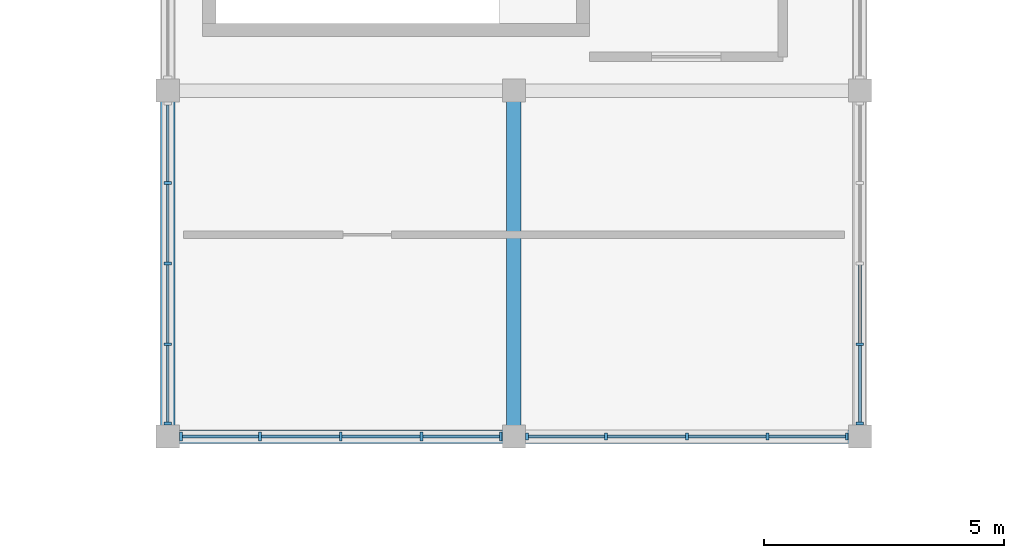
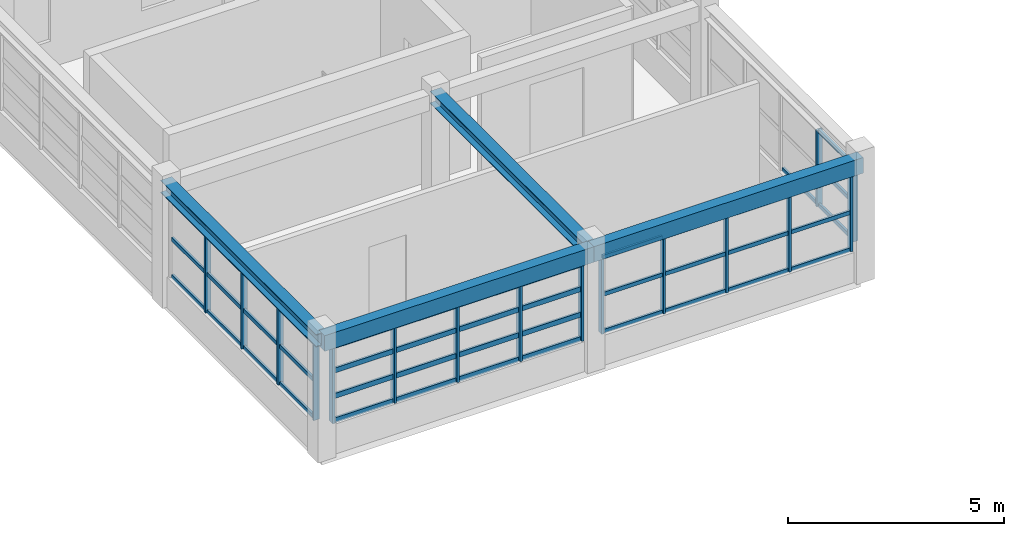
# One storey, part 9 of 53: 60 members, 4 beams, 4 elements without a shape of their own.
"""IFC4 building model written with IfcOpenShell, lengths in metres."""

from ifc_helpers import new_model, si_unit, direction, frame, origin, origin_2d, place, context, subcontext, project, spatial, rectangle, i_section, extrude, material, material_profile, profile_set, type_object, element, aggregate, save


model = new_model("IFC4")

# Units and contexts
model_context = context("Model", 3, precision=1e-05, world=origin(), true_north=direction((0.0, 1.0)))
body_context = subcontext(model_context, "Body", "Model", "MODEL_VIEW")
ifc_project = project(units=[si_unit("LENGTHUNIT", "METRE"), si_unit("AREAUNIT", "SQUARE_METRE"), si_unit("VOLUMEUNIT", "CUBIC_METRE"), si_unit("PLANEANGLEUNIT", "RADIAN"), si_unit("MASSUNIT", "GRAM", prefix="KILO")], contexts=[model_context])

# Site, building, storey
site_placement = place(None, origin())
site = spatial("IfcSite", under=ifc_project, at=site_placement, CompositionType="ELEMENT")
building_placement = place(site_placement, origin())
building = spatial("IfcBuilding", under=site, at=building_placement, Name="Nzembalo Square Collegiate School", CompositionType="ELEMENT")
storey_placement = place(building_placement, frame((0.0, 0.0, 13.60009765625)))
storey = spatial("IfcBuildingStorey", under=building, at=storey_placement, Name="L03", CompositionType="ELEMENT", Elevation=13.60009765625)

# Beams
ifc_material_1 = material(Name="Steel S355", Category="steel")
ifc_material_profile_1 = material_profile(ifc_material_1, i_section(OverallWidth=0.300048828125, OverallDepth=0.35009765625, WebThickness=0.010009765625, FlangeThickness=0.017578125, at=origin_2d()), Name="HEA 360")
ifc_profile_set_1 = profile_set([ifc_material_profile_1], Name="Steel S355")
beam_type_1 = type_object("IfcBeamType", Name="B12", PredefinedType="BEAM", material=ifc_profile_set_1)
for number, where, z_axis, x_axis, name in (
    (1, (76.800048828125, 97.199951171875, 3.27978515625), (0.0, 1.0, 0.0), (-1.0, 0.0, 0.0), "Beam B12 L03"),
    (2, (84.0, 97.199951171875, 3.27978515625), (0.0, 1.0, 0.0), (-1.0, 0.0, 0.0), "Beam B12 L03"),
):
    element("IfcBeam", number, at=place(storey_placement, frame(where, z_axis=z_axis, x_axis=x_axis)), inside=storey, type_object=beam_type_1, Name=name, PredefinedType="BEAM", context=body_context, shape_type="SweptSolid", body=[
        extrude(i_section(OverallWidth=0.300048828125, OverallDepth=0.35009765625, WebThickness=0.010009765625, FlangeThickness=0.017578125, at=origin_2d()), origin(), (0.0, 0.0, 1.0), 7.199951171875),
    ])
ifc_material_2 = material(Name="Glulam GL32h", Category="wood")
ifc_material_profile_2 = material_profile(ifc_material_2, rectangle(XDim=0.280029296875, YDim=0.43994140625, at=origin_2d()), Name="GL32h 280x440")
ifc_profile_set_2 = profile_set([ifc_material_profile_2], Name="Glulam GL32h")
beam_type_2 = type_object("IfcBeamType", Name="B14", PredefinedType="BEAM", material=ifc_profile_set_2)
for number, where, z_axis, x_axis, name in (
    (3, (76.800048828125, 97.199951171875, 3.23486328125), (1.0, 0.0, 0.0), (0.0, 1.0, 0.0), "Beam B14 L03"),
    (4, (84.0, 97.199951171875, 3.23486328125), (1.0, 0.0, 0.0), (0.0, 1.0, 0.0), "Beam B14 L03"),
):
    element("IfcBeam", number, at=place(storey_placement, frame(where, z_axis=z_axis, x_axis=x_axis)), inside=storey, type_object=beam_type_2, Name=name, PredefinedType="BEAM", context=body_context, shape_type="SweptSolid", body=[
        extrude(rectangle(XDim=0.280029296875, YDim=0.43994140625, at=origin_2d()), origin(), (0.0, 0.0, 1.0), 7.199951171875),
    ])

# Curtain wall, members
ifc_material_3 = material(Name="Aluminium 6060-T66", Category="aluminium")
curtain_wall_type_1 = type_object("IfcCurtainWallType", Name="CW-06", PredefinedType="USERDEFINED", material=ifc_material_3)
curtain_wall_1_placement = place(storey_placement, origin())
curtain_wall_1 = element("IfcCurtainWall", 5, at=curtain_wall_1_placement, inside=storey, type_object=curtain_wall_type_1, Name="Curtain wall CW-06 cw:L03:133", ObjectType="LANCET", PredefinedType="USERDEFINED")
ifc_material_4 = material(Name="Aluminium 6060-T66", Category="aluminium")
ifc_material_profile_3 = material_profile(ifc_material_4, rectangle(XDim=0.06005859375, YDim=0.179931640625, at=origin_2d()), Name="ALU M60x180")
ifc_profile_set_3 = profile_set([ifc_material_profile_3], Name="Aluminium 6060-T66")
member_type_1 = type_object("IfcMemberType", Name="ML01", PredefinedType="MULLION", material=ifc_profile_set_3)
member_1_placement = place(storey_placement, frame((77.072021484375, 97.199951171875, 0.849853515625), z_axis=(0.0, 0.0, 1.0), x_axis=(1.0, 0.0, 0.0)))
member_1 = element("IfcMember", 6, at=member_1_placement, type_object=member_type_1, Name="ML01 mullion 1", PredefinedType="MULLION", context=body_context, shape_type="SweptSolid", body=[
    extrude(rectangle(XDim=0.06005859375, YDim=0.179931640625, at=origin_2d()), origin(), (0.0, 0.0, 1.0), 2.158935546875),
])
member_2_placement = place(storey_placement, frame((78.720947265625, 97.199951171875, 0.849853515625), z_axis=(0.0, 0.0, 1.0), x_axis=(1.0, 0.0, 0.0)))
member_2 = element("IfcMember", 7, at=member_2_placement, type_object=member_type_1, Name="ML01 mullion 2", PredefinedType="MULLION", context=body_context, shape_type="SweptSolid", body=[
    extrude(rectangle(XDim=0.06005859375, YDim=0.179931640625, at=origin_2d()), origin(), (0.0, 0.0, 1.0), 2.158935546875),
])
member_3_placement = place(storey_placement, frame((80.39990234375, 97.199951171875, 0.849853515625), z_axis=(0.0, 0.0, 1.0), x_axis=(1.0, 0.0, 0.0)))
member_3 = element("IfcMember", 8, at=member_3_placement, type_object=member_type_1, Name="ML01 mullion 3", PredefinedType="MULLION", context=body_context, shape_type="SweptSolid", body=[
    extrude(rectangle(XDim=0.06005859375, YDim=0.179931640625, at=origin_2d()), origin(), (0.0, 0.0, 1.0), 2.158935546875),
])
member_4_placement = place(storey_placement, frame((82.0791015625, 97.199951171875, 0.849853515625), z_axis=(0.0, 0.0, 1.0), x_axis=(1.0, 0.0, 0.0)))
member_4 = element("IfcMember", 9, at=member_4_placement, type_object=member_type_1, Name="ML01 mullion 4", PredefinedType="MULLION", context=body_context, shape_type="SweptSolid", body=[
    extrude(rectangle(XDim=0.06005859375, YDim=0.179931640625, at=origin_2d()), origin(), (0.0, 0.0, 1.0), 2.158935546875),
])
member_5_placement = place(storey_placement, frame((83.72802734375, 97.199951171875, 0.849853515625), z_axis=(0.0, 0.0, 1.0), x_axis=(1.0, 0.0, 0.0)))
member_5 = element("IfcMember", 10, at=member_5_placement, type_object=member_type_1, Name="ML01 mullion 5", PredefinedType="MULLION", context=body_context, shape_type="SweptSolid", body=[
    extrude(rectangle(XDim=0.06005859375, YDim=0.179931640625, at=origin_2d()), origin(), (0.0, 0.0, 1.0), 2.158935546875),
])

ifc_material_5 = material(Name="Aluminium 6060-T66", Category="aluminium")
curtain_wall_type_2 = type_object("IfcCurtainWallType", Name="CW-04", PredefinedType="USERDEFINED", material=ifc_material_5)
curtain_wall_2_placement = place(storey_placement, origin())
curtain_wall_2 = element("IfcCurtainWall", 11, at=curtain_wall_2_placement, inside=storey, type_object=curtain_wall_type_2, Name="Curtain wall CW-04 cw:L03:131", ObjectType="UNITISED", PredefinedType="USERDEFINED")
ifc_material_6 = material(Name="Aluminium 6060-T66", Category="aluminium")
ifc_material_profile_4 = material_profile(ifc_material_6, rectangle(XDim=0.06005859375, YDim=0.14990234375, at=origin_2d()), Name="ALU M60x150")
ifc_profile_set_4 = profile_set([ifc_material_profile_4], Name="Aluminium 6060-T66")
member_type_2 = type_object("IfcMemberType", Name="ML02", PredefinedType="MULLION", material=ifc_profile_set_4)
member_6_placement = place(storey_placement, frame((91.199951171875, 97.471923828125, 0.849853515625), z_axis=(0.0, 0.0, 1.0), x_axis=(0.0, 1.0, 0.0)))
member_6 = element("IfcMember", 12, at=member_6_placement, type_object=member_type_2, Name="ML02 mullion 1", PredefinedType="MULLION", context=body_context, shape_type="SweptSolid", body=[
    extrude(rectangle(XDim=0.06005859375, YDim=0.14990234375, at=origin_2d()), origin(), (0.0, 0.0, 1.0), 2.158935546875),
])
member_7_placement = place(storey_placement, frame((91.199951171875, 99.12109375, 0.849853515625), z_axis=(0.0, 0.0, 1.0), x_axis=(0.0, 1.0, 0.0)))
member_7 = element("IfcMember", 13, at=member_7_placement, type_object=member_type_2, Name="ML02 mullion 2", PredefinedType="MULLION", context=body_context, shape_type="SweptSolid", body=[
    extrude(rectangle(XDim=0.06005859375, YDim=0.14990234375, at=origin_2d()), origin(), (0.0, 0.0, 1.0), 2.158935546875),
])

ifc_material_7 = material(Name="Aluminium 6060-T66", Category="aluminium")
curtain_wall_type_3 = type_object("IfcCurtainWallType", Name="CW-07", PredefinedType="USERDEFINED", material=ifc_material_7)
curtain_wall_3_placement = place(storey_placement, origin())
curtain_wall_3 = element("IfcCurtainWall", 14, at=curtain_wall_3_placement, inside=storey, type_object=curtain_wall_type_3, Name="Curtain wall CW-07 cw:L03:134", ObjectType="LANCET", PredefinedType="USERDEFINED")
member_8_placement = place(storey_placement, frame((84.27197265625, 97.199951171875, 0.849853515625), z_axis=(0.0, 0.0, 1.0), x_axis=(1.0, 0.0, 0.0)))
member_8 = element("IfcMember", 15, at=member_8_placement, type_object=member_type_2, Name="ML02 mullion 1", PredefinedType="MULLION", context=body_context, shape_type="SweptSolid", body=[
    extrude(rectangle(XDim=0.06005859375, YDim=0.14990234375, at=origin_2d()), origin(), (0.0, 0.0, 1.0), 2.158935546875),
])
member_9_placement = place(storey_placement, frame((85.9208984375, 97.199951171875, 0.849853515625), z_axis=(0.0, 0.0, 1.0), x_axis=(1.0, 0.0, 0.0)))
member_9 = element("IfcMember", 16, at=member_9_placement, type_object=member_type_2, Name="ML02 mullion 2", PredefinedType="MULLION", context=body_context, shape_type="SweptSolid", body=[
    extrude(rectangle(XDim=0.06005859375, YDim=0.14990234375, at=origin_2d()), origin(), (0.0, 0.0, 1.0), 2.158935546875),
])
member_10_placement = place(storey_placement, frame((87.60009765625, 97.199951171875, 0.849853515625), z_axis=(0.0, 0.0, 1.0), x_axis=(1.0, 0.0, 0.0)))
member_10 = element("IfcMember", 17, at=member_10_placement, type_object=member_type_2, Name="ML02 mullion 3", PredefinedType="MULLION", context=body_context, shape_type="SweptSolid", body=[
    extrude(rectangle(XDim=0.06005859375, YDim=0.14990234375, at=origin_2d()), origin(), (0.0, 0.0, 1.0), 2.158935546875),
])
member_11_placement = place(storey_placement, frame((89.279052734375, 97.199951171875, 0.849853515625), z_axis=(0.0, 0.0, 1.0), x_axis=(1.0, 0.0, 0.0)))
member_11 = element("IfcMember", 18, at=member_11_placement, type_object=member_type_2, Name="ML02 mullion 4", PredefinedType="MULLION", context=body_context, shape_type="SweptSolid", body=[
    extrude(rectangle(XDim=0.06005859375, YDim=0.14990234375, at=origin_2d()), origin(), (0.0, 0.0, 1.0), 2.158935546875),
])
member_12_placement = place(storey_placement, frame((90.927978515625, 97.199951171875, 0.849853515625), z_axis=(0.0, 0.0, 1.0), x_axis=(1.0, 0.0, 0.0)))
member_12 = element("IfcMember", 19, at=member_12_placement, type_object=member_type_2, Name="ML02 mullion 5", PredefinedType="MULLION", context=body_context, shape_type="SweptSolid", body=[
    extrude(rectangle(XDim=0.06005859375, YDim=0.14990234375, at=origin_2d()), origin(), (0.0, 0.0, 1.0), 2.158935546875),
])

ifc_material_8 = material(Name="Aluminium 6060-T66", Category="aluminium")
curtain_wall_type_4 = type_object("IfcCurtainWallType", Name="CW-08", PredefinedType="USERDEFINED", material=ifc_material_8)
curtain_wall_4_placement = place(storey_placement, origin())
curtain_wall_4 = element("IfcCurtainWall", 20, at=curtain_wall_4_placement, inside=storey, type_object=curtain_wall_type_4, Name="Curtain wall CW-08 cw:L03:135", ObjectType="LANCET", PredefinedType="USERDEFINED")
member_13_placement = place(storey_placement, frame((76.800048828125, 97.471923828125, 0.849853515625), z_axis=(0.0, 0.0, 1.0), x_axis=(0.0, 1.0, 0.0)))
member_13 = element("IfcMember", 21, at=member_13_placement, type_object=member_type_2, Name="ML02 mullion 1", PredefinedType="MULLION", context=body_context, shape_type="SweptSolid", body=[
    extrude(rectangle(XDim=0.06005859375, YDim=0.14990234375, at=origin_2d()), origin(), (0.0, 0.0, 1.0), 2.158935546875),
])
member_14_placement = place(storey_placement, frame((76.800048828125, 99.12109375, 0.849853515625), z_axis=(0.0, 0.0, 1.0), x_axis=(0.0, 1.0, 0.0)))
member_14 = element("IfcMember", 22, at=member_14_placement, type_object=member_type_2, Name="ML02 mullion 2", PredefinedType="MULLION", context=body_context, shape_type="SweptSolid", body=[
    extrude(rectangle(XDim=0.06005859375, YDim=0.14990234375, at=origin_2d()), origin(), (0.0, 0.0, 1.0), 2.158935546875),
])
member_15_placement = place(storey_placement, frame((76.800048828125, 100.800048828125, 0.849853515625), z_axis=(0.0, 0.0, 1.0), x_axis=(0.0, 1.0, 0.0)))
member_15 = element("IfcMember", 23, at=member_15_placement, type_object=member_type_2, Name="ML02 mullion 3", PredefinedType="MULLION", context=body_context, shape_type="SweptSolid", body=[
    extrude(rectangle(XDim=0.06005859375, YDim=0.14990234375, at=origin_2d()), origin(), (0.0, 0.0, 1.0), 2.158935546875),
])
member_16_placement = place(storey_placement, frame((76.800048828125, 102.47900390625, 0.849853515625), z_axis=(0.0, 0.0, 1.0), x_axis=(0.0, 1.0, 0.0)))
member_16 = element("IfcMember", 24, at=member_16_placement, type_object=member_type_2, Name="ML02 mullion 4", PredefinedType="MULLION", context=body_context, shape_type="SweptSolid", body=[
    extrude(rectangle(XDim=0.06005859375, YDim=0.14990234375, at=origin_2d()), origin(), (0.0, 0.0, 1.0), 2.158935546875),
])

# Member
ifc_material_9 = material(Name="Aluminium 6060-T66", Category="aluminium")
ifc_material_profile_5 = material_profile(ifc_material_9, rectangle(XDim=0.06005859375, YDim=0.139892578125, at=origin_2d()), Name="ALU T60x140")
ifc_profile_set_5 = profile_set([ifc_material_profile_5], Name="Aluminium 6060-T66")
member_type_3 = type_object("IfcMemberType", Name="TR01", PredefinedType="USERDEFINED", material=ifc_profile_set_5)
member_17_placement = place(storey_placement, frame((77.10205078125, 97.199951171875, 0.8798828125), z_axis=(1.0, 0.0, 0.0), x_axis=(0.0, 1.0, 0.0)))
member_17 = element("IfcMember", 25, at=member_17_placement, type_object=member_type_3, Name="TR01 transom 1-1", ObjectType="TRANSOM", PredefinedType="USERDEFINED", context=body_context, shape_type="SweptSolid", body=[
    extrude(rectangle(XDim=0.06005859375, YDim=0.139892578125, at=origin_2d()), origin(), (0.0, 0.0, 1.0), 1.5888671875),
])

member_18_placement = place(storey_placement, frame((78.7509765625, 97.199951171875, 0.8798828125), z_axis=(1.0, 0.0, 0.0), x_axis=(0.0, 1.0, 0.0)))
member_18 = element("IfcMember", 26, at=member_18_placement, type_object=member_type_3, Name="TR01 transom 1-2", ObjectType="TRANSOM", PredefinedType="USERDEFINED", context=body_context, shape_type="SweptSolid", body=[
    extrude(rectangle(XDim=0.06005859375, YDim=0.139892578125, at=origin_2d()), origin(), (0.0, 0.0, 1.0), 1.619140625),
])

member_19_placement = place(storey_placement, frame((80.429931640625, 97.199951171875, 0.8798828125), z_axis=(1.0, 0.0, 0.0), x_axis=(0.0, 1.0, 0.0)))
member_19 = element("IfcMember", 27, at=member_19_placement, type_object=member_type_3, Name="TR01 transom 1-3", ObjectType="TRANSOM", PredefinedType="USERDEFINED", context=body_context, shape_type="SweptSolid", body=[
    extrude(rectangle(XDim=0.06005859375, YDim=0.139892578125, at=origin_2d()), origin(), (0.0, 0.0, 1.0), 1.619140625),
])

member_20_placement = place(storey_placement, frame((82.10888671875, 97.199951171875, 0.8798828125), z_axis=(1.0, 0.0, 0.0), x_axis=(0.0, 1.0, 0.0)))
member_20 = element("IfcMember", 28, at=member_20_placement, type_object=member_type_3, Name="TR01 transom 1-4", ObjectType="TRANSOM", PredefinedType="USERDEFINED", context=body_context, shape_type="SweptSolid", body=[
    extrude(rectangle(XDim=0.06005859375, YDim=0.139892578125, at=origin_2d()), origin(), (0.0, 0.0, 1.0), 1.589111328125),
])

member_21_placement = place(storey_placement, frame((77.10205078125, 97.199951171875, 1.569580078125), z_axis=(1.0, 0.0, 0.0), x_axis=(0.0, 1.0, 0.0)))
member_21 = element("IfcMember", 29, at=member_21_placement, type_object=member_type_3, Name="TR01 transom 2-1", ObjectType="TRANSOM", PredefinedType="USERDEFINED", context=body_context, shape_type="SweptSolid", body=[
    extrude(rectangle(XDim=0.06005859375, YDim=0.139892578125, at=origin_2d()), origin(), (0.0, 0.0, 1.0), 1.5888671875),
])

member_22_placement = place(storey_placement, frame((78.7509765625, 97.199951171875, 1.569580078125), z_axis=(1.0, 0.0, 0.0), x_axis=(0.0, 1.0, 0.0)))
member_22 = element("IfcMember", 30, at=member_22_placement, type_object=member_type_3, Name="TR01 transom 2-2", ObjectType="TRANSOM", PredefinedType="USERDEFINED", context=body_context, shape_type="SweptSolid", body=[
    extrude(rectangle(XDim=0.06005859375, YDim=0.139892578125, at=origin_2d()), origin(), (0.0, 0.0, 1.0), 1.619140625),
])

member_23_placement = place(storey_placement, frame((80.429931640625, 97.199951171875, 1.569580078125), z_axis=(1.0, 0.0, 0.0), x_axis=(0.0, 1.0, 0.0)))
member_23 = element("IfcMember", 31, at=member_23_placement, type_object=member_type_3, Name="TR01 transom 2-3", ObjectType="TRANSOM", PredefinedType="USERDEFINED", context=body_context, shape_type="SweptSolid", body=[
    extrude(rectangle(XDim=0.06005859375, YDim=0.139892578125, at=origin_2d()), origin(), (0.0, 0.0, 1.0), 1.619140625),
])

member_24_placement = place(storey_placement, frame((82.10888671875, 97.199951171875, 1.569580078125), z_axis=(1.0, 0.0, 0.0), x_axis=(0.0, 1.0, 0.0)))
member_24 = element("IfcMember", 32, at=member_24_placement, type_object=member_type_3, Name="TR01 transom 2-4", ObjectType="TRANSOM", PredefinedType="USERDEFINED", context=body_context, shape_type="SweptSolid", body=[
    extrude(rectangle(XDim=0.06005859375, YDim=0.139892578125, at=origin_2d()), origin(), (0.0, 0.0, 1.0), 1.589111328125),
])

member_25_placement = place(storey_placement, frame((77.10205078125, 97.199951171875, 2.289306640625), z_axis=(1.0, 0.0, 0.0), x_axis=(0.0, 1.0, 0.0)))
member_25 = element("IfcMember", 33, at=member_25_placement, type_object=member_type_3, Name="TR01 transom 3-1", ObjectType="TRANSOM", PredefinedType="USERDEFINED", context=body_context, shape_type="SweptSolid", body=[
    extrude(rectangle(XDim=0.06005859375, YDim=0.139892578125, at=origin_2d()), origin(), (0.0, 0.0, 1.0), 1.5888671875),
])

member_26_placement = place(storey_placement, frame((78.7509765625, 97.199951171875, 2.289306640625), z_axis=(1.0, 0.0, 0.0), x_axis=(0.0, 1.0, 0.0)))
member_26 = element("IfcMember", 34, at=member_26_placement, type_object=member_type_3, Name="TR01 transom 3-2", ObjectType="TRANSOM", PredefinedType="USERDEFINED", context=body_context, shape_type="SweptSolid", body=[
    extrude(rectangle(XDim=0.06005859375, YDim=0.139892578125, at=origin_2d()), origin(), (0.0, 0.0, 1.0), 1.619140625),
])

member_27_placement = place(storey_placement, frame((80.429931640625, 97.199951171875, 2.289306640625), z_axis=(1.0, 0.0, 0.0), x_axis=(0.0, 1.0, 0.0)))
member_27 = element("IfcMember", 35, at=member_27_placement, type_object=member_type_3, Name="TR01 transom 3-3", ObjectType="TRANSOM", PredefinedType="USERDEFINED", context=body_context, shape_type="SweptSolid", body=[
    extrude(rectangle(XDim=0.06005859375, YDim=0.139892578125, at=origin_2d()), origin(), (0.0, 0.0, 1.0), 1.619140625),
])

member_28_placement = place(storey_placement, frame((82.10888671875, 97.199951171875, 2.289306640625), z_axis=(1.0, 0.0, 0.0), x_axis=(0.0, 1.0, 0.0)))
member_28 = element("IfcMember", 36, at=member_28_placement, type_object=member_type_3, Name="TR01 transom 3-4", ObjectType="TRANSOM", PredefinedType="USERDEFINED", context=body_context, shape_type="SweptSolid", body=[
    extrude(rectangle(XDim=0.06005859375, YDim=0.139892578125, at=origin_2d()), origin(), (0.0, 0.0, 1.0), 1.589111328125),
])

member_29_placement = place(storey_placement, frame((77.10205078125, 97.199951171875, 2.97900390625), z_axis=(1.0, 0.0, 0.0), x_axis=(0.0, 1.0, 0.0)))
member_29 = element("IfcMember", 37, at=member_29_placement, type_object=member_type_3, Name="TR01 transom 4-1", ObjectType="TRANSOM", PredefinedType="USERDEFINED", context=body_context, shape_type="SweptSolid", body=[
    extrude(rectangle(XDim=0.06005859375, YDim=0.139892578125, at=origin_2d()), origin(), (0.0, 0.0, 1.0), 1.5888671875),
])

member_30_placement = place(storey_placement, frame((78.7509765625, 97.199951171875, 2.97900390625), z_axis=(1.0, 0.0, 0.0), x_axis=(0.0, 1.0, 0.0)))
member_30 = element("IfcMember", 38, at=member_30_placement, type_object=member_type_3, Name="TR01 transom 4-2", ObjectType="TRANSOM", PredefinedType="USERDEFINED", context=body_context, shape_type="SweptSolid", body=[
    extrude(rectangle(XDim=0.06005859375, YDim=0.139892578125, at=origin_2d()), origin(), (0.0, 0.0, 1.0), 1.619140625),
])

member_31_placement = place(storey_placement, frame((80.429931640625, 97.199951171875, 2.97900390625), z_axis=(1.0, 0.0, 0.0), x_axis=(0.0, 1.0, 0.0)))
member_31 = element("IfcMember", 39, at=member_31_placement, type_object=member_type_3, Name="TR01 transom 4-3", ObjectType="TRANSOM", PredefinedType="USERDEFINED", context=body_context, shape_type="SweptSolid", body=[
    extrude(rectangle(XDim=0.06005859375, YDim=0.139892578125, at=origin_2d()), origin(), (0.0, 0.0, 1.0), 1.619140625),
])

member_32_placement = place(storey_placement, frame((82.10888671875, 97.199951171875, 2.97900390625), z_axis=(1.0, 0.0, 0.0), x_axis=(0.0, 1.0, 0.0)))
member_32 = element("IfcMember", 40, at=member_32_placement, type_object=member_type_3, Name="TR01 transom 4-4", ObjectType="TRANSOM", PredefinedType="USERDEFINED", context=body_context, shape_type="SweptSolid", body=[
    extrude(rectangle(XDim=0.06005859375, YDim=0.139892578125, at=origin_2d()), origin(), (0.0, 0.0, 1.0), 1.589111328125),
])

aggregate(curtain_wall_1, [member_1, member_2, member_3, member_4, member_5, member_17, member_18, member_19, member_20, member_21, member_22, member_23, member_24, member_25, member_26, member_27, member_28, member_29, member_30, member_31, member_32])

ifc_material_10 = material(Name="Aluminium 6060-T66", Category="aluminium")
ifc_material_profile_6 = material_profile(ifc_material_10, rectangle(XDim=0.06005859375, YDim=0.110107421875, at=origin_2d()), Name="ALU T60x110")
ifc_profile_set_6 = profile_set([ifc_material_profile_6], Name="Aluminium 6060-T66")
member_type_4 = type_object("IfcMemberType", Name="TR02", PredefinedType="USERDEFINED", material=ifc_profile_set_6)
member_33_placement = place(storey_placement, frame((91.199951171875, 97.501953125, 0.8798828125), z_axis=(0.0, 1.0, 0.0), x_axis=(-1.0, 0.0, 0.0)))
member_33 = element("IfcMember", 41, at=member_33_placement, type_object=member_type_4, Name="TR02 transom 1-1", ObjectType="TRANSOM", PredefinedType="USERDEFINED", context=body_context, shape_type="SweptSolid", body=[
    extrude(rectangle(XDim=0.06005859375, YDim=0.110107421875, at=origin_2d()), origin(), (0.0, 0.0, 1.0), 1.589111328125),
])

member_34_placement = place(storey_placement, frame((91.199951171875, 99.15087890625, 0.8798828125), z_axis=(0.0, 1.0, 0.0), x_axis=(-1.0, 0.0, 0.0)))
member_34 = element("IfcMember", 42, at=member_34_placement, type_object=member_type_4, Name="TR02 transom 1-2", ObjectType="TRANSOM", PredefinedType="USERDEFINED", context=body_context, shape_type="SweptSolid", body=[
    extrude(rectangle(XDim=0.06005859375, YDim=0.110107421875, at=origin_2d()), origin(), (0.0, 0.0, 1.0), 1.619140625),
])

member_35_placement = place(storey_placement, frame((91.199951171875, 97.501953125, 1.929443359375), z_axis=(0.0, 1.0, 0.0), x_axis=(-1.0, 0.0, 0.0)))
member_35 = element("IfcMember", 43, at=member_35_placement, type_object=member_type_4, Name="TR02 transom 2-1", ObjectType="TRANSOM", PredefinedType="USERDEFINED", context=body_context, shape_type="SweptSolid", body=[
    extrude(rectangle(XDim=0.06005859375, YDim=0.110107421875, at=origin_2d()), origin(), (0.0, 0.0, 1.0), 1.589111328125),
])

member_36_placement = place(storey_placement, frame((91.199951171875, 97.501953125, 2.97900390625), z_axis=(0.0, 1.0, 0.0), x_axis=(-1.0, 0.0, 0.0)))
member_36 = element("IfcMember", 44, at=member_36_placement, type_object=member_type_4, Name="TR02 transom 3-1", ObjectType="TRANSOM", PredefinedType="USERDEFINED", context=body_context, shape_type="SweptSolid", body=[
    extrude(rectangle(XDim=0.06005859375, YDim=0.110107421875, at=origin_2d()), origin(), (0.0, 0.0, 1.0), 1.589111328125),
])

aggregate(curtain_wall_2, [member_6, member_7, member_33, member_34, member_35, member_36])

member_37_placement = place(storey_placement, frame((84.302001953125, 97.199951171875, 0.8798828125), z_axis=(1.0, 0.0, 0.0), x_axis=(0.0, 1.0, 0.0)))
member_37 = element("IfcMember", 45, at=member_37_placement, type_object=member_type_4, Name="TR02 transom 1-1", ObjectType="TRANSOM", PredefinedType="USERDEFINED", context=body_context, shape_type="SweptSolid", body=[
    extrude(rectangle(XDim=0.06005859375, YDim=0.110107421875, at=origin_2d()), origin(), (0.0, 0.0, 1.0), 1.589111328125),
])

member_38_placement = place(storey_placement, frame((85.950927734375, 97.199951171875, 0.8798828125), z_axis=(1.0, 0.0, 0.0), x_axis=(0.0, 1.0, 0.0)))
member_38 = element("IfcMember", 46, at=member_38_placement, type_object=member_type_4, Name="TR02 transom 1-2", ObjectType="TRANSOM", PredefinedType="USERDEFINED", context=body_context, shape_type="SweptSolid", body=[
    extrude(rectangle(XDim=0.06005859375, YDim=0.110107421875, at=origin_2d()), origin(), (0.0, 0.0, 1.0), 1.619140625),
])

member_39_placement = place(storey_placement, frame((87.6298828125, 97.199951171875, 0.8798828125), z_axis=(1.0, 0.0, 0.0), x_axis=(0.0, 1.0, 0.0)))
member_39 = element("IfcMember", 47, at=member_39_placement, type_object=member_type_4, Name="TR02 transom 1-3", ObjectType="TRANSOM", PredefinedType="USERDEFINED", context=body_context, shape_type="SweptSolid", body=[
    extrude(rectangle(XDim=0.06005859375, YDim=0.110107421875, at=origin_2d()), origin(), (0.0, 0.0, 1.0), 1.619140625),
])

member_40_placement = place(storey_placement, frame((89.30908203125, 97.199951171875, 0.8798828125), z_axis=(1.0, 0.0, 0.0), x_axis=(0.0, 1.0, 0.0)))
member_40 = element("IfcMember", 48, at=member_40_placement, type_object=member_type_4, Name="TR02 transom 1-4", ObjectType="TRANSOM", PredefinedType="USERDEFINED", context=body_context, shape_type="SweptSolid", body=[
    extrude(rectangle(XDim=0.06005859375, YDim=0.110107421875, at=origin_2d()), origin(), (0.0, 0.0, 1.0), 1.5888671875),
])

member_41_placement = place(storey_placement, frame((84.302001953125, 97.199951171875, 1.929443359375), z_axis=(1.0, 0.0, 0.0), x_axis=(0.0, 1.0, 0.0)))
member_41 = element("IfcMember", 49, at=member_41_placement, type_object=member_type_4, Name="TR02 transom 2-1", ObjectType="TRANSOM", PredefinedType="USERDEFINED", context=body_context, shape_type="SweptSolid", body=[
    extrude(rectangle(XDim=0.06005859375, YDim=0.110107421875, at=origin_2d()), origin(), (0.0, 0.0, 1.0), 1.589111328125),
])

member_42_placement = place(storey_placement, frame((85.950927734375, 97.199951171875, 1.929443359375), z_axis=(1.0, 0.0, 0.0), x_axis=(0.0, 1.0, 0.0)))
member_42 = element("IfcMember", 50, at=member_42_placement, type_object=member_type_4, Name="TR02 transom 2-2", ObjectType="TRANSOM", PredefinedType="USERDEFINED", context=body_context, shape_type="SweptSolid", body=[
    extrude(rectangle(XDim=0.06005859375, YDim=0.110107421875, at=origin_2d()), origin(), (0.0, 0.0, 1.0), 1.619140625),
])

member_43_placement = place(storey_placement, frame((87.6298828125, 97.199951171875, 1.929443359375), z_axis=(1.0, 0.0, 0.0), x_axis=(0.0, 1.0, 0.0)))
member_43 = element("IfcMember", 51, at=member_43_placement, type_object=member_type_4, Name="TR02 transom 2-3", ObjectType="TRANSOM", PredefinedType="USERDEFINED", context=body_context, shape_type="SweptSolid", body=[
    extrude(rectangle(XDim=0.06005859375, YDim=0.110107421875, at=origin_2d()), origin(), (0.0, 0.0, 1.0), 1.619140625),
])

member_44_placement = place(storey_placement, frame((89.30908203125, 97.199951171875, 1.929443359375), z_axis=(1.0, 0.0, 0.0), x_axis=(0.0, 1.0, 0.0)))
member_44 = element("IfcMember", 52, at=member_44_placement, type_object=member_type_4, Name="TR02 transom 2-4", ObjectType="TRANSOM", PredefinedType="USERDEFINED", context=body_context, shape_type="SweptSolid", body=[
    extrude(rectangle(XDim=0.06005859375, YDim=0.110107421875, at=origin_2d()), origin(), (0.0, 0.0, 1.0), 1.5888671875),
])

member_45_placement = place(storey_placement, frame((84.302001953125, 97.199951171875, 2.97900390625), z_axis=(1.0, 0.0, 0.0), x_axis=(0.0, 1.0, 0.0)))
member_45 = element("IfcMember", 53, at=member_45_placement, type_object=member_type_4, Name="TR02 transom 3-1", ObjectType="TRANSOM", PredefinedType="USERDEFINED", context=body_context, shape_type="SweptSolid", body=[
    extrude(rectangle(XDim=0.06005859375, YDim=0.110107421875, at=origin_2d()), origin(), (0.0, 0.0, 1.0), 1.589111328125),
])

member_46_placement = place(storey_placement, frame((85.950927734375, 97.199951171875, 2.97900390625), z_axis=(1.0, 0.0, 0.0), x_axis=(0.0, 1.0, 0.0)))
member_46 = element("IfcMember", 54, at=member_46_placement, type_object=member_type_4, Name="TR02 transom 3-2", ObjectType="TRANSOM", PredefinedType="USERDEFINED", context=body_context, shape_type="SweptSolid", body=[
    extrude(rectangle(XDim=0.06005859375, YDim=0.110107421875, at=origin_2d()), origin(), (0.0, 0.0, 1.0), 1.619140625),
])

member_47_placement = place(storey_placement, frame((87.6298828125, 97.199951171875, 2.97900390625), z_axis=(1.0, 0.0, 0.0), x_axis=(0.0, 1.0, 0.0)))
member_47 = element("IfcMember", 55, at=member_47_placement, type_object=member_type_4, Name="TR02 transom 3-3", ObjectType="TRANSOM", PredefinedType="USERDEFINED", context=body_context, shape_type="SweptSolid", body=[
    extrude(rectangle(XDim=0.06005859375, YDim=0.110107421875, at=origin_2d()), origin(), (0.0, 0.0, 1.0), 1.619140625),
])

member_48_placement = place(storey_placement, frame((89.30908203125, 97.199951171875, 2.97900390625), z_axis=(1.0, 0.0, 0.0), x_axis=(0.0, 1.0, 0.0)))
member_48 = element("IfcMember", 56, at=member_48_placement, type_object=member_type_4, Name="TR02 transom 3-4", ObjectType="TRANSOM", PredefinedType="USERDEFINED", context=body_context, shape_type="SweptSolid", body=[
    extrude(rectangle(XDim=0.06005859375, YDim=0.110107421875, at=origin_2d()), origin(), (0.0, 0.0, 1.0), 1.5888671875),
])

aggregate(curtain_wall_3, [member_8, member_9, member_10, member_11, member_12, member_37, member_38, member_39, member_40, member_41, member_42, member_43, member_44, member_45, member_46, member_47, member_48])

member_49_placement = place(storey_placement, frame((76.800048828125, 97.501953125, 0.8798828125), z_axis=(0.0, 1.0, 0.0), x_axis=(-1.0, 0.0, 0.0)))
member_49 = element("IfcMember", 57, at=member_49_placement, type_object=member_type_4, Name="TR02 transom 1-1", ObjectType="TRANSOM", PredefinedType="USERDEFINED", context=body_context, shape_type="SweptSolid", body=[
    extrude(rectangle(XDim=0.06005859375, YDim=0.110107421875, at=origin_2d()), origin(), (0.0, 0.0, 1.0), 1.589111328125),
])

member_50_placement = place(storey_placement, frame((76.800048828125, 99.15087890625, 0.8798828125), z_axis=(0.0, 1.0, 0.0), x_axis=(-1.0, 0.0, 0.0)))
member_50 = element("IfcMember", 58, at=member_50_placement, type_object=member_type_4, Name="TR02 transom 1-2", ObjectType="TRANSOM", PredefinedType="USERDEFINED", context=body_context, shape_type="SweptSolid", body=[
    extrude(rectangle(XDim=0.06005859375, YDim=0.110107421875, at=origin_2d()), origin(), (0.0, 0.0, 1.0), 1.619140625),
])

member_51_placement = place(storey_placement, frame((76.800048828125, 100.830078125, 0.8798828125), z_axis=(0.0, 1.0, 0.0), x_axis=(-1.0, 0.0, 0.0)))
member_51 = element("IfcMember", 59, at=member_51_placement, type_object=member_type_4, Name="TR02 transom 1-3", ObjectType="TRANSOM", PredefinedType="USERDEFINED", context=body_context, shape_type="SweptSolid", body=[
    extrude(rectangle(XDim=0.06005859375, YDim=0.110107421875, at=origin_2d()), origin(), (0.0, 0.0, 1.0), 1.618896484375),
])

member_52_placement = place(storey_placement, frame((76.800048828125, 102.509033203125, 0.8798828125), z_axis=(0.0, 1.0, 0.0), x_axis=(-1.0, 0.0, 0.0)))
member_52 = element("IfcMember", 60, at=member_52_placement, type_object=member_type_4, Name="TR02 transom 1-4", ObjectType="TRANSOM", PredefinedType="USERDEFINED", context=body_context, shape_type="SweptSolid", body=[
    extrude(rectangle(XDim=0.06005859375, YDim=0.110107421875, at=origin_2d()), origin(), (0.0, 0.0, 1.0), 1.5888671875),
])

member_53_placement = place(storey_placement, frame((76.800048828125, 97.501953125, 1.929443359375), z_axis=(0.0, 1.0, 0.0), x_axis=(-1.0, 0.0, 0.0)))
member_53 = element("IfcMember", 61, at=member_53_placement, type_object=member_type_4, Name="TR02 transom 2-1", ObjectType="TRANSOM", PredefinedType="USERDEFINED", context=body_context, shape_type="SweptSolid", body=[
    extrude(rectangle(XDim=0.06005859375, YDim=0.110107421875, at=origin_2d()), origin(), (0.0, 0.0, 1.0), 1.589111328125),
])

member_54_placement = place(storey_placement, frame((76.800048828125, 99.15087890625, 1.929443359375), z_axis=(0.0, 1.0, 0.0), x_axis=(-1.0, 0.0, 0.0)))
member_54 = element("IfcMember", 62, at=member_54_placement, type_object=member_type_4, Name="TR02 transom 2-2", ObjectType="TRANSOM", PredefinedType="USERDEFINED", context=body_context, shape_type="SweptSolid", body=[
    extrude(rectangle(XDim=0.06005859375, YDim=0.110107421875, at=origin_2d()), origin(), (0.0, 0.0, 1.0), 1.619140625),
])

member_55_placement = place(storey_placement, frame((76.800048828125, 100.830078125, 1.929443359375), z_axis=(0.0, 1.0, 0.0), x_axis=(-1.0, 0.0, 0.0)))
member_55 = element("IfcMember", 63, at=member_55_placement, type_object=member_type_4, Name="TR02 transom 2-3", ObjectType="TRANSOM", PredefinedType="USERDEFINED", context=body_context, shape_type="SweptSolid", body=[
    extrude(rectangle(XDim=0.06005859375, YDim=0.110107421875, at=origin_2d()), origin(), (0.0, 0.0, 1.0), 1.618896484375),
])

member_56_placement = place(storey_placement, frame((76.800048828125, 102.509033203125, 1.929443359375), z_axis=(0.0, 1.0, 0.0), x_axis=(-1.0, 0.0, 0.0)))
member_56 = element("IfcMember", 64, at=member_56_placement, type_object=member_type_4, Name="TR02 transom 2-4", ObjectType="TRANSOM", PredefinedType="USERDEFINED", context=body_context, shape_type="SweptSolid", body=[
    extrude(rectangle(XDim=0.06005859375, YDim=0.110107421875, at=origin_2d()), origin(), (0.0, 0.0, 1.0), 1.5888671875),
])

member_57_placement = place(storey_placement, frame((76.800048828125, 97.501953125, 2.97900390625), z_axis=(0.0, 1.0, 0.0), x_axis=(-1.0, 0.0, 0.0)))
member_57 = element("IfcMember", 65, at=member_57_placement, type_object=member_type_4, Name="TR02 transom 3-1", ObjectType="TRANSOM", PredefinedType="USERDEFINED", context=body_context, shape_type="SweptSolid", body=[
    extrude(rectangle(XDim=0.06005859375, YDim=0.110107421875, at=origin_2d()), origin(), (0.0, 0.0, 1.0), 1.589111328125),
])

member_58_placement = place(storey_placement, frame((76.800048828125, 99.15087890625, 2.97900390625), z_axis=(0.0, 1.0, 0.0), x_axis=(-1.0, 0.0, 0.0)))
member_58 = element("IfcMember", 66, at=member_58_placement, type_object=member_type_4, Name="TR02 transom 3-2", ObjectType="TRANSOM", PredefinedType="USERDEFINED", context=body_context, shape_type="SweptSolid", body=[
    extrude(rectangle(XDim=0.06005859375, YDim=0.110107421875, at=origin_2d()), origin(), (0.0, 0.0, 1.0), 1.619140625),
])

member_59_placement = place(storey_placement, frame((76.800048828125, 100.830078125, 2.97900390625), z_axis=(0.0, 1.0, 0.0), x_axis=(-1.0, 0.0, 0.0)))
member_59 = element("IfcMember", 67, at=member_59_placement, type_object=member_type_4, Name="TR02 transom 3-3", ObjectType="TRANSOM", PredefinedType="USERDEFINED", context=body_context, shape_type="SweptSolid", body=[
    extrude(rectangle(XDim=0.06005859375, YDim=0.110107421875, at=origin_2d()), origin(), (0.0, 0.0, 1.0), 1.618896484375),
])

member_60_placement = place(storey_placement, frame((76.800048828125, 102.509033203125, 2.97900390625), z_axis=(0.0, 1.0, 0.0), x_axis=(-1.0, 0.0, 0.0)))
member_60 = element("IfcMember", 68, at=member_60_placement, type_object=member_type_4, Name="TR02 transom 3-4", ObjectType="TRANSOM", PredefinedType="USERDEFINED", context=body_context, shape_type="SweptSolid", body=[
    extrude(rectangle(XDim=0.06005859375, YDim=0.110107421875, at=origin_2d()), origin(), (0.0, 0.0, 1.0), 1.5888671875),
])

aggregate(curtain_wall_4, [member_13, member_14, member_15, member_16, member_49, member_50, member_51, member_52, member_53, member_54, member_55, member_56, member_57, member_58, member_59, member_60])

save(model, "model.ifc")
